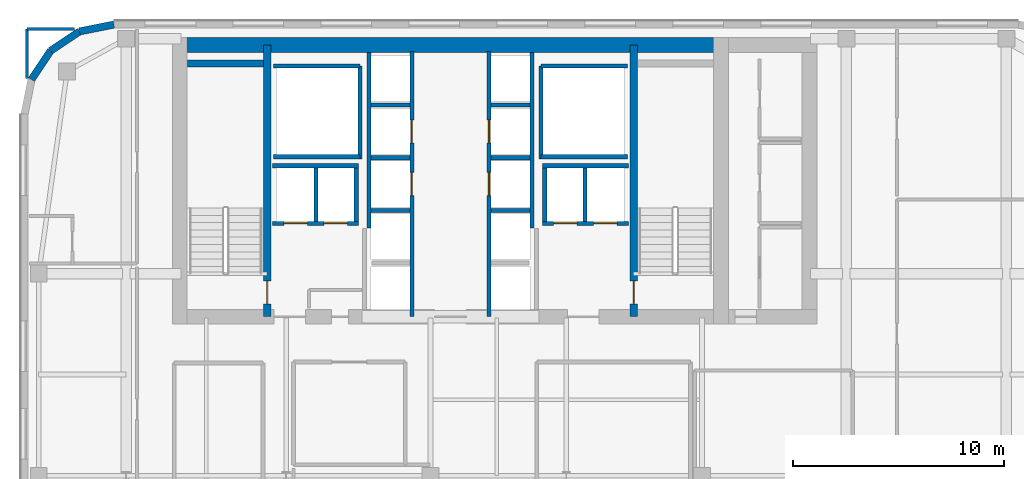
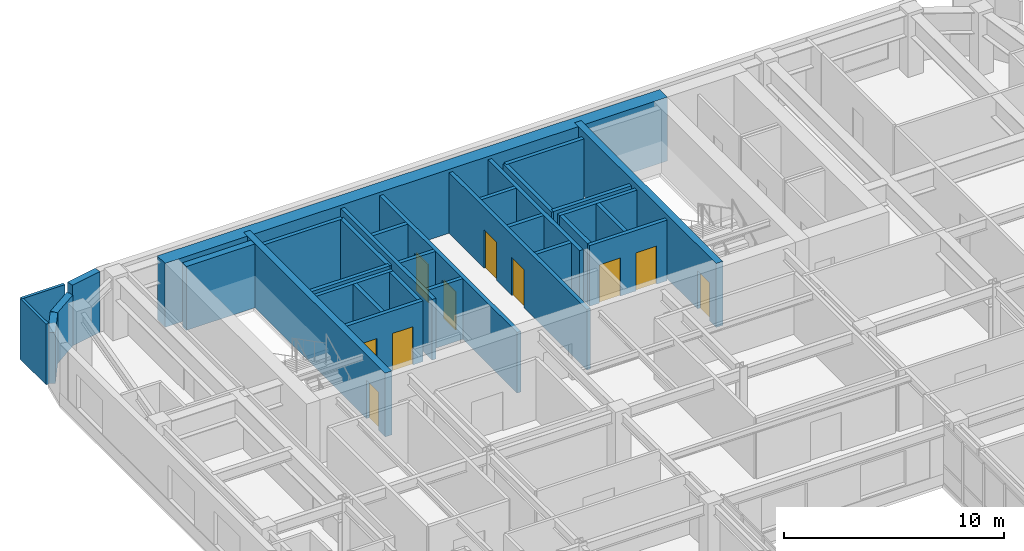
# One storey, part 13 of 20: 33 walls, 10 doors, 10 openings.
"""IFC4 building model written with IfcOpenShell, lengths in metres."""

from ifc_helpers import new_model, si_unit, direction, frame, frame_2d, origin, place, context, subcontext, project, spatial, rectangle, extrude, source, transform, mapped, material, layer, layer_set, type_object, type_shapes, element, fill, save


model = new_model("IFC4")

# Units and contexts
model_context = context("Model", 3, precision=1e-05, world=origin(), true_north=direction((0.0, 1.0)))
body_context = subcontext(model_context, "Body", "Model", "MODEL_VIEW")
ifc_project = project(units=[si_unit("LENGTHUNIT", "METRE"), si_unit("AREAUNIT", "SQUARE_METRE"), si_unit("VOLUMEUNIT", "CUBIC_METRE"), si_unit("PLANEANGLEUNIT", "RADIAN"), si_unit("MASSUNIT", "GRAM", prefix="KILO")], contexts=[model_context])

# Site, building, storey
site_placement = place(None, origin())
site = spatial("IfcSite", under=ifc_project, at=site_placement, CompositionType="ELEMENT")
building_placement = place(site_placement, origin())
building = spatial("IfcBuilding", under=site, at=building_placement, Name="Tolvann Quenvar Hotel", CompositionType="ELEMENT")
storey_placement = place(building_placement, frame((0.0, 0.0, 175.449951171875)))
storey = spatial("IfcBuildingStorey", under=building, at=storey_placement, Name="L46", CompositionType="ELEMENT", Elevation=175.449951171875)

# Wall
ifc_material_1 = material(Name="Concrete S65 (65 MPa)", Category="concrete")
ifc_layer_1 = layer(ifc_material_1, 0.699951171875)
ifc_layer_set_1 = layer_set([ifc_layer_1], Name="Concrete S65 (65 MPa)")
wall_type_1 = type_object("IfcWallType", Name="WALL_CORE_700", PredefinedType="SHEAR", material=ifc_layer_set_1)
wall_1_placement = place(storey_placement, frame((9.800048828125, 44.85009765625, 0.0), z_axis=(0.0, 0.0, 1.0), x_axis=(1.0, 0.0, 0.0)))
element("IfcWall", 1, at=wall_1_placement, inside=storey, type_object=wall_type_1, Name="Rear Core N Shear Wall (L46)", PredefinedType="SHEAR", context=body_context, shape_type="SweptSolid", body=[
    extrude(rectangle(XDim=26.39990234375, YDim=0.699951171875, at=frame_2d((13.199951171875, 0.0))), origin(), (0.0, 0.0, 1.0), 3.550048828125),
])

# Wall, opening, door
ifc_layer_2 = layer(ifc_material_1, 0.35009765625)
ifc_layer_set_2 = layer_set([ifc_layer_2], Name="Concrete S65 (65 MPa)")
wall_type_2 = type_object("IfcWallType", Name="WALL_CORE_INT_350", PredefinedType="SHEAR", material=ifc_layer_set_2)
wall_2_placement = place(storey_placement, frame((14.300048828125, 31.949951171875, 0.0), z_axis=(0.0, 0.0, 1.0), x_axis=(0.0, 1.0, 0.0)))
wall_2 = element("IfcWall", 2, at=wall_2_placement, inside=storey, type_object=wall_type_2, Name="Core Internal Web Shear Wall WEB-W (L46)", PredefinedType="SHEAR", context=body_context, shape_type="SweptSolid", body=[
    extrude(rectangle(XDim=12.900146484375, YDim=0.35009765625, at=frame_2d((6.4501953125, 0.0))), origin(), (0.0, 0.0, 1.0), 3.550048828125),
])
opening_1_placement = place(wall_2_placement, frame((0.60009765625, 0.0, 0.0)))
opening_1 = element("IfcOpeningElement", 3, at=opening_1_placement, cuts=wall_2, Name="Opening FD-120", PredefinedType="OPENING", context=body_context, shape_type="SweptSolid", body=[
    extrude(rectangle(XDim=1.10009765625, YDim=2.1201171875, at=frame_2d((0.550048828125, 1.06005859375))), frame((0.0, 0.18505859375, 0.0), z_axis=(0.0, -1.0, 0.0), x_axis=(1.0, 0.0, 0.0)), (0.0, 0.0, 1.0), 0.3701171875),
])
ifc_material_2 = material(Name="Pressed galvanised steel fire-rated door set", Category="steel")
door_type_1 = type_object("IfcDoorType", Name="DOOR_FIRE_STAIR_1100", OperationType="NOTDEFINED", PredefinedType="DOOR", material=ifc_material_2)
shared_shape_1 = source(origin(), body_context, "Body", "SweptSolid", [
    extrude(rectangle(XDim=1.10009765625, YDim=2.1201171875, at=frame_2d((0.550048828125, 1.06005859375))), frame((0.0, 0.02490234375, 0.0), z_axis=(0.0, -1.0, 0.0), x_axis=(1.0, 0.0, 0.0)), (0.0, 0.0, 1.0), 0.050048828125),
])
type_shapes(door_type_1, [shared_shape_1])
door_1_placement = place(opening_1_placement, origin())
door_1 = element("IfcDoor", 4, at=door_1_placement, inside=storey, type_object=door_type_1, Name="Exit Stair ST-C1 Fire Door (L46)", OperationType="SINGLE_SWING_LEFT", OverallHeight=2.1201171875, OverallWidth=1.10009765625, PredefinedType="DOOR", context=body_context, shape_type="MappedRepresentation", body=[
    mapped(shared_shape_1, transform((0.0, 0.0, 0.0), x_axis=(1.0, 0.0, 0.0), y_axis=(0.0, 1.0, 0.0), z_axis=(0.0, 0.0, 1.0), scale=1.0)),
])
fill(opening_1, door_1)

wall_3_placement = place(storey_placement, frame((31.699951171875, 31.949951171875, 0.0), z_axis=(0.0, 0.0, 1.0), x_axis=(0.0, 1.0, 0.0)))
wall_3 = element("IfcWall", 5, at=wall_3_placement, inside=storey, type_object=wall_type_2, Name="Core Internal Web Shear Wall WEB-E (L46)", PredefinedType="SHEAR", context=body_context, shape_type="SweptSolid", body=[
    extrude(rectangle(XDim=12.900146484375, YDim=0.35009765625, at=frame_2d((6.4501953125, 0.0))), origin(), (0.0, 0.0, 1.0), 3.550048828125),
])
opening_2_placement = place(wall_3_placement, frame((1.7001953125, 0.0, 0.0), z_axis=(0.0, 0.0, 1.0), x_axis=(-1.0, 0.0, 0.0)))
opening_2 = element("IfcOpeningElement", 6, at=opening_2_placement, cuts=wall_3, Name="Opening FD-120", PredefinedType="OPENING", context=body_context, shape_type="SweptSolid", body=[
    extrude(rectangle(XDim=1.10009765625, YDim=2.1201171875, at=frame_2d((0.550048828125, 1.06005859375))), frame((0.0, 0.18505859375, 0.0), z_axis=(0.0, -1.0, 0.0), x_axis=(1.0, 0.0, 0.0)), (0.0, 0.0, 1.0), 0.3701171875),
])
door_2_placement = place(opening_2_placement, origin())
door_2 = element("IfcDoor", 7, at=door_2_placement, inside=storey, type_object=door_type_1, Name="Exit Stair ST-C2 Fire Door (L46)", OperationType="SINGLE_SWING_RIGHT", OverallHeight=2.1201171875, OverallWidth=1.10009765625, PredefinedType="DOOR", context=body_context, shape_type="MappedRepresentation", body=[
    mapped(shared_shape_1, transform((0.0, 0.0, 0.0), x_axis=(1.0, 0.0, 0.0), y_axis=(0.0, 1.0, 0.0), z_axis=(0.0, 0.0, 1.0), scale=1.0)),
])
fill(opening_2, door_2)

# Walls
wall_4_placement = place(storey_placement, frame((10.52001953125, 43.97509765625, 0.0), z_axis=(0.0, 0.0, 1.0), x_axis=(1.0, 0.0, 0.0)))
element("IfcWall", 8, at=wall_4_placement, inside=storey, type_object=wall_type_2, Name="Core Stair North Closing Shear Wall STC1-N (L46)", PredefinedType="SHEAR", context=body_context, shape_type="SweptSolid", body=[
    extrude(rectangle(XDim=3.60009765625, YDim=0.35009765625, at=frame_2d((1.800048828125, 0.0))), origin(), (0.0, 0.0, 1.0), 3.550048828125),
])
ifc_material_3 = material(Name="Kiln-fired red and buff architectural clay brickwork and terracotta masonry", Category="masonry")
ifc_layer_3 = layer(ifc_material_3, 0.35009765625)
ifc_layer_set_3 = layer_set([ifc_layer_3], Name="Kiln-fired red and buff architectural clay brickwork and terracotta masonry")
wall_type_3 = type_object("IfcWallType", Name="WALL_EXT_BRICK_350", PredefinedType="SOLIDWALL", material=ifc_layer_set_3)
wall_5_placement = place(storey_placement, frame((7.01708984375, 45.824951171875, 0.0), z_axis=(0.0, 0.0, 1.0), x_axis=(-0.980788844421, -0.195072403631, 0.0)))
element("IfcWall", 9, at=wall_5_placement, inside=storey, type_object=wall_type_3, Name="Exterior Chicago Brick Wall L46-E19", PredefinedType="SOLIDWALL", context=body_context, shape_type="SweptSolid", body=[
    extrude(rectangle(XDim=1.66455078125, YDim=0.35009765625, at=frame_2d((0.832275390625, 0.0))), origin(), (0.0, 0.0, 1.0), 3.3701171875),
])
for number, where, z_axis, x_axis, name in (
    (10, (5.384521484375, 45.500244140625, 0.0), (0.0, 0.0, 1.0), (-0.831502623162, -0.555520825599, 0.0), "Exterior Chicago Brick Wall L46-E20"),
    (11, (4.014892578125, 44.585205078125, 0.0), (0.0, 0.0, 1.0), (-0.555623290322, -0.831434158098, 0.0), "Exterior Chicago Brick Wall L46-E21"),
):
    element("IfcWall", number, at=place(storey_placement, frame(where, z_axis=z_axis, x_axis=x_axis)), inside=storey, type_object=wall_type_3, Name=name, PredefinedType="SOLIDWALL", context=body_context, shape_type="SweptSolid", body=[
        extrude(rectangle(XDim=1.647216796875, YDim=0.35009765625, at=frame_2d((0.82373046875, 0.0))), origin(), (0.0, 0.0, 1.0), 2.83203125),
    ])
ifc_material_4 = material(Name="Acoustic twin-stud fire-rated gypsum plasterboard partition")
ifc_layer_4 = layer(ifc_material_4, 0.14990234375)
ifc_layer_set_4 = layer_set([ifc_layer_4], Name="Acoustic twin-stud fire-rated gypsum plasterboard partition")
wall_type_4 = type_object("IfcWallType", Name="WALL_PART_SUITE_150", PredefinedType="PARTITIONING", material=ifc_layer_set_4)
wall_6_placement = place(storey_placement, frame((2.89990234375, 45.6201171875, 0.0), z_axis=(0.0, 0.0, 1.0), x_axis=(1.0, 0.0, 0.0)))
element("IfcWall", 12, at=wall_6_placement, inside=storey, type_object=wall_type_4, Name="Interior Partition PT-SPC-L46-RM-NW02-E5", PredefinedType="PARTITIONING", context=body_context, shape_type="SweptSolid", body=[
    extrude(rectangle(XDim=2.25, YDim=0.14990234375, at=frame_2d((1.125, 0.0))), origin(), (0.0, 0.0, 1.0), 3.3701171875),
])
wall_7_placement = place(storey_placement, frame((2.89990234375, 43.2548828125, 0.0), z_axis=(0.0, 0.0, 1.0), x_axis=(0.0, 1.0, 0.0)))
element("IfcWall", 13, at=wall_7_placement, inside=storey, type_object=wall_type_4, Name="Interior Partition PT-SPC-L46-RM-NW02-E6", PredefinedType="PARTITIONING", context=body_context, shape_type="SweptSolid", body=[
    extrude(rectangle(XDim=2.365234375, YDim=0.14990234375, at=frame_2d((1.1826171875, 0.0))), origin(), (0.0, 0.0, 1.0), 3.3701171875),
])
ifc_material_5 = material(Name="Concrete N40 (40 MPa)", Category="concrete")
ifc_layer_5 = layer(ifc_material_5, 0.199951171875)
ifc_layer_set_5 = layer_set([ifc_layer_5], Name="Concrete N40 (40 MPa)")
wall_type_5 = type_object("IfcWallType", Name="WALL_SHAFT_200", PredefinedType="SOLIDWALL", material=ifc_layer_set_5)
wall_8_placement = place(storey_placement, frame((18.699951171875, 39.449951171875, 0.0), z_axis=(0.0, 0.0, 1.0), x_axis=(0.0, 1.0, 0.0)))
element("IfcWall", 14, at=wall_8_placement, inside=storey, type_object=wall_type_5, Name="Service Riser W Shaft Wall IN (L46)", PredefinedType="SOLIDWALL", context=body_context, shape_type="SweptSolid", body=[
    extrude(rectangle(XDim=4.400146484375, YDim=0.199951171875, at=frame_2d((2.2001953125, 0.0))), origin(), (0.0, 0.0, 1.0), 3.3701171875),
])
for number, where, z_axis, x_axis, name in (
    (15, (14.60009765625, 39.550048828125, 0.0), (0.0, 0.0, 1.0), (1.0, 0.0, 0.0), "Service Riser W Shaft Wall S (L46)"),
    (16, (14.60009765625, 43.85009765625, 0.0), (0.0, 0.0, 1.0), (1.0, 0.0, 0.0), "Service Riser W Shaft Wall N (L46)"),
):
    element("IfcWall", number, at=place(storey_placement, frame(where, z_axis=z_axis, x_axis=x_axis)), inside=storey, type_object=wall_type_5, Name=name, PredefinedType="SOLIDWALL", context=body_context, shape_type="SweptSolid", body=[
        extrude(rectangle(XDim=4.099853515625, YDim=0.199951171875, at=frame_2d((2.0498046875, 0.0))), origin(), (0.0, 0.0, 1.0), 3.3701171875),
    ])
wall_9_placement = place(storey_placement, frame((27.300048828125, 39.449951171875, 0.0), z_axis=(0.0, 0.0, 1.0), x_axis=(0.0, 1.0, 0.0)))
element("IfcWall", 17, at=wall_9_placement, inside=storey, type_object=wall_type_5, Name="Service Riser E Shaft Wall IN (L46)", PredefinedType="SOLIDWALL", context=body_context, shape_type="SweptSolid", body=[
    extrude(rectangle(XDim=4.400146484375, YDim=0.199951171875, at=frame_2d((2.2001953125, 0.0))), origin(), (0.0, 0.0, 1.0), 3.3701171875),
])
for number, where, z_axis, x_axis, name in (
    (18, (27.300048828125, 39.550048828125, 0.0), (0.0, 0.0, 1.0), (1.0, 0.0, 0.0), "Service Riser E Shaft Wall S (L46)"),
    (19, (27.300048828125, 43.85009765625, 0.0), (0.0, 0.0, 1.0), (1.0, 0.0, 0.0), "Service Riser E Shaft Wall N (L46)"),
):
    element("IfcWall", number, at=place(storey_placement, frame(where, z_axis=z_axis, x_axis=x_axis)), inside=storey, type_object=wall_type_5, Name=name, PredefinedType="SOLIDWALL", context=body_context, shape_type="SweptSolid", body=[
        extrude(rectangle(XDim=4.099853515625, YDim=0.199951171875, at=frame_2d((2.0498046875, 0.0))), origin(), (0.0, 0.0, 1.0), 3.3701171875),
    ])

# Wall, openings, doors
wall_10_placement = place(storey_placement, frame((21.169921875, 31.9599609375, 0.0), z_axis=(0.0, 0.0, 1.0), x_axis=(0.0, 1.0, 0.0)))
wall_10 = element("IfcWall", 20, at=wall_10_placement, inside=storey, type_object=wall_type_5, Name="Lift Bank E21.1C1 Hoistway Front Wall (L46)", PredefinedType="SOLIDWALL", context=body_context, shape_type="SweptSolid", body=[
    extrude(rectangle(XDim=12.580078125, YDim=0.199951171875, at=frame_2d((6.2900390625, 0.0))), origin(), (0.0, 0.0, 1.0), 3.3701171875),
])
opening_3_placement = place(wall_10_placement, frame((5.739990234375, 0.0, 0.0)))
opening_3 = element("IfcOpeningElement", 21, at=opening_3_placement, cuts=wall_10, Name="Opening LD-01", PredefinedType="OPENING", context=body_context, shape_type="SweptSolid", body=[
    extrude(rectangle(XDim=1.10009765625, YDim=2.1201171875, at=frame_2d((0.550048828125, 1.06005859375))), frame((0.0, 0.10986328125, 0.0), z_axis=(0.0, -1.0, 0.0), x_axis=(1.0, 0.0, 0.0)), (0.0, 0.0, 1.0), 0.219970703125),
])
opening_4_placement = place(wall_10_placement, frame((8.239990234375, 0.0, 0.0)))
opening_4 = element("IfcOpeningElement", 22, at=opening_4_placement, cuts=wall_10, Name="Opening LD-01", PredefinedType="OPENING", context=body_context, shape_type="SweptSolid", body=[
    extrude(rectangle(XDim=1.10009765625, YDim=2.1201171875, at=frame_2d((0.550048828125, 1.06005859375))), frame((0.0, 0.10986328125, 0.0), z_axis=(0.0, -1.0, 0.0), x_axis=(1.0, 0.0, 0.0)), (0.0, 0.0, 1.0), 0.219970703125),
])
ifc_material_6 = material(Name="Brushed 316 stainless steel automatic sliding lift landing door", Category="steel")
door_type_2 = type_object("IfcDoorType", Name="DOOR_LIFT_SLIDE_1100", OperationType="NOTDEFINED", PredefinedType="DOOR", material=ifc_material_6)
shared_shape_2 = source(origin(), body_context, "Body", "SweptSolid", [
    extrude(rectangle(XDim=1.10009765625, YDim=2.1201171875, at=frame_2d((0.550048828125, 1.06005859375))), frame((0.0, 0.02490234375, 0.0), z_axis=(0.0, -1.0, 0.0), x_axis=(1.0, 0.0, 0.0)), (0.0, 0.0, 1.0), 0.050048828125),
])
type_shapes(door_type_2, [shared_shape_2])
door_3_placement = place(opening_3_placement, origin())
door_3 = element("IfcDoor", 23, at=door_3_placement, inside=storey, type_object=door_type_2, Name="Lift PM-1 Sliding Landing Door (L46)", OperationType="SLIDING_TO_RIGHT", OverallHeight=2.1201171875, OverallWidth=1.10009765625, PredefinedType="DOOR", context=body_context, shape_type="MappedRepresentation", body=[
    mapped(shared_shape_2, transform((0.0, 0.0, 0.0), x_axis=(1.0, 0.0, 0.0), y_axis=(0.0, 1.0, 0.0), z_axis=(0.0, 0.0, 1.0), scale=1.0)),
])
fill(opening_3, door_3)
door_4_placement = place(opening_4_placement, origin())
door_4 = element("IfcDoor", 24, at=door_4_placement, inside=storey, type_object=door_type_2, Name="Lift PM-2 Sliding Landing Door (L46)", OperationType="SLIDING_TO_LEFT", OverallHeight=2.1201171875, OverallWidth=1.10009765625, PredefinedType="DOOR", context=body_context, shape_type="MappedRepresentation", body=[
    mapped(shared_shape_2, transform((0.0, 0.0, 0.0), x_axis=(1.0, 0.0, 0.0), y_axis=(0.0, 1.0, 0.0), z_axis=(0.0, 0.0, 1.0), scale=1.0)),
])
fill(opening_4, door_4)

# Walls
wall_11_placement = place(storey_placement, frame((19.1298828125, 36.159912109375, 0.0), z_axis=(0.0, 0.0, 1.0), x_axis=(0.0, 1.0, 0.0)))
element("IfcWall", 25, at=wall_11_placement, inside=storey, type_object=wall_type_5, Name="Lift Bank E21.1C1 Hoistway Rear Wall (L46)", PredefinedType="SOLIDWALL", context=body_context, shape_type="SweptSolid", body=[
    extrude(rectangle(XDim=8.336181640625, YDim=0.199951171875, at=frame_2d((4.16796875, 0.0))), origin(), (0.0, 0.0, 1.0), 3.3701171875),
])
for number, where, z_axis, x_axis, name in (
    (26, (19.22998046875, 37.0, 0.0), (0.0, 0.0, 1.0), (1.0, 0.0, 0.0), "Lift Bank E21.1C1 Divider Wall 2 (L46)"),
    (27, (19.22998046875, 39.5, 0.0), (0.0, 0.0, 1.0), (1.0, 0.0, 0.0), "Lift Bank E21.1C1 Divider Wall 3 (L46)"),
    (28, (19.22998046875, 42.0, 0.0), (0.0, 0.0, 1.0), (1.0, 0.0, 0.0), "Lift Bank E21.1C1 Divider Wall 4 (L46)"),
):
    element("IfcWall", number, at=place(storey_placement, frame(where, z_axis=z_axis, x_axis=x_axis)), inside=storey, type_object=wall_type_5, Name=name, PredefinedType="SOLIDWALL", context=body_context, shape_type="SweptSolid", body=[
        extrude(rectangle(XDim=1.840087890625, YDim=0.199951171875, at=frame_2d((0.919921875, 0.0))), origin(), (0.0, 0.0, 1.0), 3.3701171875),
    ])

# Wall, openings, doors
wall_12_placement = place(storey_placement, frame((27.375, 36.3798828125, 0.0), z_axis=(0.0, 0.0, 1.0), x_axis=(1.0, 0.0, 0.0)))
wall_12 = element("IfcWall", 29, at=wall_12_placement, inside=storey, type_object=wall_type_5, Name="Lift Bank SEC1 Hoistway Front Wall (L46)", PredefinedType="SOLIDWALL", context=body_context, shape_type="SweptSolid", body=[
    extrude(rectangle(XDim=4.074951171875, YDim=0.199951171875, at=frame_2d((2.03759765625, 0.0))), origin(), (0.0, 0.0, 1.0), 3.3701171875),
])
opening_5_placement = place(wall_12_placement, frame((0.52490234375, 0.0, 0.0)))
opening_5 = element("IfcOpeningElement", 30, at=opening_5_placement, cuts=wall_12, Name="Opening LD-01", PredefinedType="OPENING", context=body_context, shape_type="SweptSolid", body=[
    extrude(rectangle(XDim=1.10009765625, YDim=2.1201171875, at=frame_2d((0.550048828125, 1.06005859375))), frame((0.0, 0.10986328125, 0.0), z_axis=(0.0, -1.0, 0.0), x_axis=(1.0, 0.0, 0.0)), (0.0, 0.0, 1.0), 0.219970703125),
])
opening_6_placement = place(wall_12_placement, frame((2.425048828125, 0.0, 0.0)))
opening_6 = element("IfcOpeningElement", 31, at=opening_6_placement, cuts=wall_12, Name="Opening LD-01", PredefinedType="OPENING", context=body_context, shape_type="SweptSolid", body=[
    extrude(rectangle(XDim=1.10009765625, YDim=2.1201171875, at=frame_2d((0.550048828125, 1.06005859375))), frame((0.0, 0.10986328125, 0.0), z_axis=(0.0, -1.0, 0.0), x_axis=(1.0, 0.0, 0.0)), (0.0, 0.0, 1.0), 0.219970703125),
])
door_5_placement = place(opening_5_placement, origin())
door_5 = element("IfcDoor", 32, at=door_5_placement, inside=storey, type_object=door_type_2, Name="Lift SV-2 Sliding Landing Door (L46)", OperationType="SLIDING_TO_LEFT", OverallHeight=2.1201171875, OverallWidth=1.10009765625, PredefinedType="DOOR", context=body_context, shape_type="MappedRepresentation", body=[
    mapped(shared_shape_2, transform((0.0, 0.0, 0.0), x_axis=(1.0, 0.0, 0.0), y_axis=(0.0, 1.0, 0.0), z_axis=(0.0, 0.0, 1.0), scale=1.0)),
])
fill(opening_5, door_5)
door_6_placement = place(opening_6_placement, origin())
door_6 = element("IfcDoor", 33, at=door_6_placement, inside=storey, type_object=door_type_2, Name="Lift FF-2 Sliding Landing Door (L46)", OperationType="SLIDING_TO_RIGHT", OverallHeight=2.1201171875, OverallWidth=1.10009765625, PredefinedType="DOOR", context=body_context, shape_type="MappedRepresentation", body=[
    mapped(shared_shape_2, transform((0.0, 0.0, 0.0), x_axis=(1.0, 0.0, 0.0), y_axis=(0.0, 1.0, 0.0), z_axis=(0.0, 0.0, 1.0), scale=1.0)),
])
fill(opening_6, door_6)

# Walls
wall_13_placement = place(storey_placement, frame((27.375, 39.1201171875, 0.0), z_axis=(0.0, 0.0, 1.0), x_axis=(1.0, 0.0, 0.0)))
element("IfcWall", 34, at=wall_13_placement, inside=storey, type_object=wall_type_5, Name="Lift Bank SEC1 Hoistway Rear Wall (L46)", PredefinedType="SOLIDWALL", context=body_context, shape_type="SweptSolid", body=[
    extrude(rectangle(XDim=4.074951171875, YDim=0.199951171875, at=frame_2d((2.03759765625, 0.0))), origin(), (0.0, 0.0, 1.0), 3.3701171875),
])
for number, where, z_axis, x_axis, name in (
    (35, (27.47509765625, 36.47998046875, 0.0), (0.0, 0.0, 1.0), (0.0, 1.0, 0.0), "Lift Bank SEC1 Hoistway Cheek Wall 1 (L46)"),
    (36, (29.387451171875, 36.47998046875, 0.0), (0.0, 0.0, 1.0), (0.0, 1.0, 0.0), "Lift Bank SEC1 Divider Wall 1 (L46)"),
):
    element("IfcWall", number, at=place(storey_placement, frame(where, z_axis=z_axis, x_axis=x_axis)), inside=storey, type_object=wall_type_5, Name=name, PredefinedType="SOLIDWALL", context=body_context, shape_type="SweptSolid", body=[
        extrude(rectangle(XDim=2.5400390625, YDim=0.199951171875, at=frame_2d((1.27001953125, 0.0))), origin(), (0.0, 0.0, 1.0), 3.3701171875),
    ])

# Wall, openings, doors
wall_14_placement = place(storey_placement, frame((14.550048828125, 36.3798828125, 0.0), z_axis=(0.0, 0.0, 1.0), x_axis=(1.0, 0.0, 0.0)))
wall_14 = element("IfcWall", 37, at=wall_14_placement, inside=storey, type_object=wall_type_5, Name="Lift Bank SWC1 Hoistway Front Wall (L46)", PredefinedType="SOLIDWALL", context=body_context, shape_type="SweptSolid", body=[
    extrude(rectangle(XDim=4.074951171875, YDim=0.199951171875, at=frame_2d((2.03759765625, 0.0))), origin(), (0.0, 0.0, 1.0), 3.3701171875),
])
opening_7_placement = place(wall_14_placement, frame((0.550048828125, 0.0, 0.0)))
opening_7 = element("IfcOpeningElement", 38, at=opening_7_placement, cuts=wall_14, Name="Opening LD-01", PredefinedType="OPENING", context=body_context, shape_type="SweptSolid", body=[
    extrude(rectangle(XDim=1.10009765625, YDim=2.1201171875, at=frame_2d((0.550048828125, 1.06005859375))), frame((0.0, 0.10986328125, 0.0), z_axis=(0.0, -1.0, 0.0), x_axis=(1.0, 0.0, 0.0)), (0.0, 0.0, 1.0), 0.219970703125),
])
opening_8_placement = place(wall_14_placement, frame((2.449951171875, 0.0, 0.0)))
opening_8 = element("IfcOpeningElement", 39, at=opening_8_placement, cuts=wall_14, Name="Opening LD-01", PredefinedType="OPENING", context=body_context, shape_type="SweptSolid", body=[
    extrude(rectangle(XDim=1.10009765625, YDim=2.1201171875, at=frame_2d((0.550048828125, 1.06005859375))), frame((0.0, 0.10986328125, 0.0), z_axis=(0.0, -1.0, 0.0), x_axis=(1.0, 0.0, 0.0)), (0.0, 0.0, 1.0), 0.219970703125),
])
door_7_placement = place(opening_7_placement, origin())
door_7 = element("IfcDoor", 40, at=door_7_placement, inside=storey, type_object=door_type_2, Name="Lift FF-1 Sliding Landing Door (L46)", OperationType="SLIDING_TO_LEFT", OverallHeight=2.1201171875, OverallWidth=1.10009765625, PredefinedType="DOOR", context=body_context, shape_type="MappedRepresentation", body=[
    mapped(shared_shape_2, transform((0.0, 0.0, 0.0), x_axis=(1.0, 0.0, 0.0), y_axis=(0.0, 1.0, 0.0), z_axis=(0.0, 0.0, 1.0), scale=1.0)),
])
fill(opening_7, door_7)
door_8_placement = place(opening_8_placement, origin())
door_8 = element("IfcDoor", 41, at=door_8_placement, inside=storey, type_object=door_type_2, Name="Lift SV-1 Sliding Landing Door (L46)", OperationType="SLIDING_TO_RIGHT", OverallHeight=2.1201171875, OverallWidth=1.10009765625, PredefinedType="DOOR", context=body_context, shape_type="MappedRepresentation", body=[
    mapped(shared_shape_2, transform((0.0, 0.0, 0.0), x_axis=(1.0, 0.0, 0.0), y_axis=(0.0, 1.0, 0.0), z_axis=(0.0, 0.0, 1.0), scale=1.0)),
])
fill(opening_8, door_8)

# Walls
wall_15_placement = place(storey_placement, frame((14.550048828125, 39.1201171875, 0.0), z_axis=(0.0, 0.0, 1.0), x_axis=(1.0, 0.0, 0.0)))
element("IfcWall", 42, at=wall_15_placement, inside=storey, type_object=wall_type_5, Name="Lift Bank SWC1 Hoistway Rear Wall (L46)", PredefinedType="SOLIDWALL", context=body_context, shape_type="SweptSolid", body=[
    extrude(rectangle(XDim=4.074951171875, YDim=0.199951171875, at=frame_2d((2.03759765625, 0.0))), origin(), (0.0, 0.0, 1.0), 3.3701171875),
])
for number, where, z_axis, x_axis, name in (
    (43, (18.52490234375, 36.47998046875, 0.0), (0.0, 0.0, 1.0), (0.0, 1.0, 0.0), "Lift Bank SWC1 Hoistway Cheek Wall 2 (L46)"),
    (44, (16.612548828125, 36.47998046875, 0.0), (0.0, 0.0, 1.0), (0.0, 1.0, 0.0), "Lift Bank SWC1 Divider Wall 1 (L46)"),
):
    element("IfcWall", number, at=place(storey_placement, frame(where, z_axis=z_axis, x_axis=x_axis)), inside=storey, type_object=wall_type_5, Name=name, PredefinedType="SOLIDWALL", context=body_context, shape_type="SweptSolid", body=[
        extrude(rectangle(XDim=2.5400390625, YDim=0.199951171875, at=frame_2d((1.27001953125, 0.0))), origin(), (0.0, 0.0, 1.0), 3.3701171875),
    ])

# Wall, openings, doors
wall_16_placement = place(storey_placement, frame((24.830078125, 31.9599609375, 0.0), z_axis=(0.0, 0.0, 1.0), x_axis=(0.0, 1.0, 0.0)))
wall_16 = element("IfcWall", 45, at=wall_16_placement, inside=storey, type_object=wall_type_5, Name="Lift Bank W24.9C1 Hoistway Front Wall (L46)", PredefinedType="SOLIDWALL", context=body_context, shape_type="SweptSolid", body=[
    extrude(rectangle(XDim=12.580078125, YDim=0.199951171875, at=frame_2d((6.2900390625, 0.0))), origin(), (0.0, 0.0, 1.0), 3.3701171875),
])
opening_9_placement = place(wall_16_placement, frame((5.739990234375, 0.0, 0.0)))
opening_9 = element("IfcOpeningElement", 46, at=opening_9_placement, cuts=wall_16, Name="Opening LD-01", PredefinedType="OPENING", context=body_context, shape_type="SweptSolid", body=[
    extrude(rectangle(XDim=1.10009765625, YDim=2.1201171875, at=frame_2d((0.550048828125, 1.06005859375))), frame((0.0, 0.10986328125, 0.0), z_axis=(0.0, -1.0, 0.0), x_axis=(1.0, 0.0, 0.0)), (0.0, 0.0, 1.0), 0.219970703125),
])
opening_10_placement = place(wall_16_placement, frame((8.239990234375, 0.0, 0.0)))
opening_10 = element("IfcOpeningElement", 47, at=opening_10_placement, cuts=wall_16, Name="Opening LD-01", PredefinedType="OPENING", context=body_context, shape_type="SweptSolid", body=[
    extrude(rectangle(XDim=1.10009765625, YDim=2.1201171875, at=frame_2d((0.550048828125, 1.06005859375))), frame((0.0, 0.10986328125, 0.0), z_axis=(0.0, -1.0, 0.0), x_axis=(1.0, 0.0, 0.0)), (0.0, 0.0, 1.0), 0.219970703125),
])
door_9_placement = place(opening_9_placement, origin())
door_9 = element("IfcDoor", 48, at=door_9_placement, inside=storey, type_object=door_type_2, Name="Lift PM-3 Sliding Landing Door (L46)", OperationType="SLIDING_TO_RIGHT", OverallHeight=2.1201171875, OverallWidth=1.10009765625, PredefinedType="DOOR", context=body_context, shape_type="MappedRepresentation", body=[
    mapped(shared_shape_2, transform((0.0, 0.0, 0.0), x_axis=(1.0, 0.0, 0.0), y_axis=(0.0, 1.0, 0.0), z_axis=(0.0, 0.0, 1.0), scale=1.0)),
])
fill(opening_9, door_9)
door_10_placement = place(opening_10_placement, origin())
door_10 = element("IfcDoor", 49, at=door_10_placement, inside=storey, type_object=door_type_2, Name="Lift PM-4 Sliding Landing Door (L46)", OperationType="SLIDING_TO_LEFT", OverallHeight=2.1201171875, OverallWidth=1.10009765625, PredefinedType="DOOR", context=body_context, shape_type="MappedRepresentation", body=[
    mapped(shared_shape_2, transform((0.0, 0.0, 0.0), x_axis=(1.0, 0.0, 0.0), y_axis=(0.0, 1.0, 0.0), z_axis=(0.0, 0.0, 1.0), scale=1.0)),
])
fill(opening_10, door_10)

# Walls
wall_17_placement = place(storey_placement, frame((26.8701171875, 36.159912109375, 0.0), z_axis=(0.0, 0.0, 1.0), x_axis=(0.0, 1.0, 0.0)))
element("IfcWall", 50, at=wall_17_placement, inside=storey, type_object=wall_type_5, Name="Lift Bank W24.9C1 Hoistway Rear Wall (L46)", PredefinedType="SOLIDWALL", context=body_context, shape_type="SweptSolid", body=[
    extrude(rectangle(XDim=8.336181640625, YDim=0.199951171875, at=frame_2d((4.16796875, 0.0))), origin(), (0.0, 0.0, 1.0), 3.3701171875),
])
for number, where, z_axis, x_axis, name in (
    (51, (24.929931640625, 37.0, 0.0), (0.0, 0.0, 1.0), (1.0, 0.0, 0.0), "Lift Bank W24.9C1 Divider Wall 2 (L46)"),
    (52, (24.929931640625, 39.5, 0.0), (0.0, 0.0, 1.0), (1.0, 0.0, 0.0), "Lift Bank W24.9C1 Divider Wall 3 (L46)"),
    (53, (24.929931640625, 42.0, 0.0), (0.0, 0.0, 1.0), (1.0, 0.0, 0.0), "Lift Bank W24.9C1 Divider Wall 4 (L46)"),
):
    element("IfcWall", number, at=place(storey_placement, frame(where, z_axis=z_axis, x_axis=x_axis)), inside=storey, type_object=wall_type_5, Name=name, PredefinedType="SOLIDWALL", context=body_context, shape_type="SweptSolid", body=[
        extrude(rectangle(XDim=1.840087890625, YDim=0.199951171875, at=frame_2d((0.919921875, 0.0))), origin(), (0.0, 0.0, 1.0), 3.3701171875),
    ])

save(model, "model.ifc")
